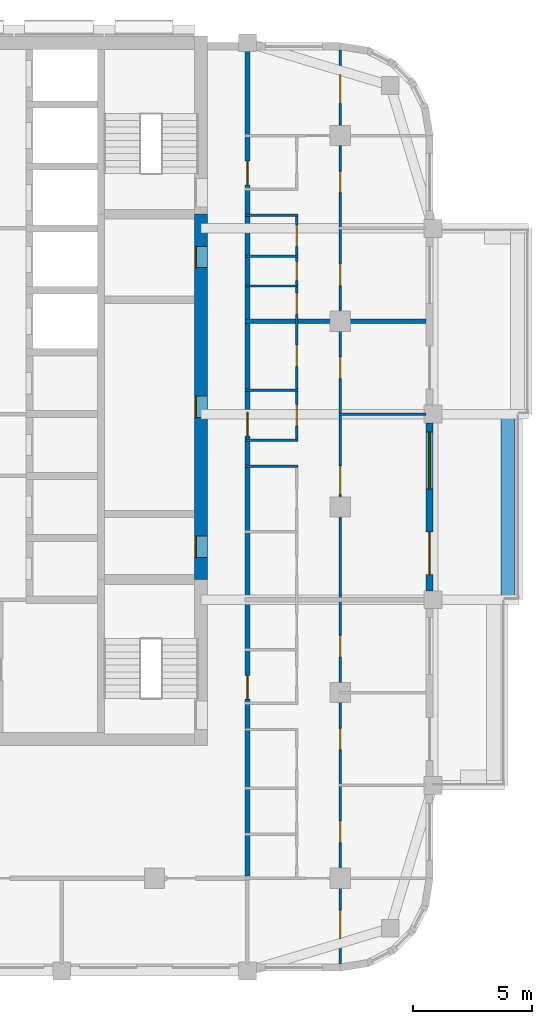
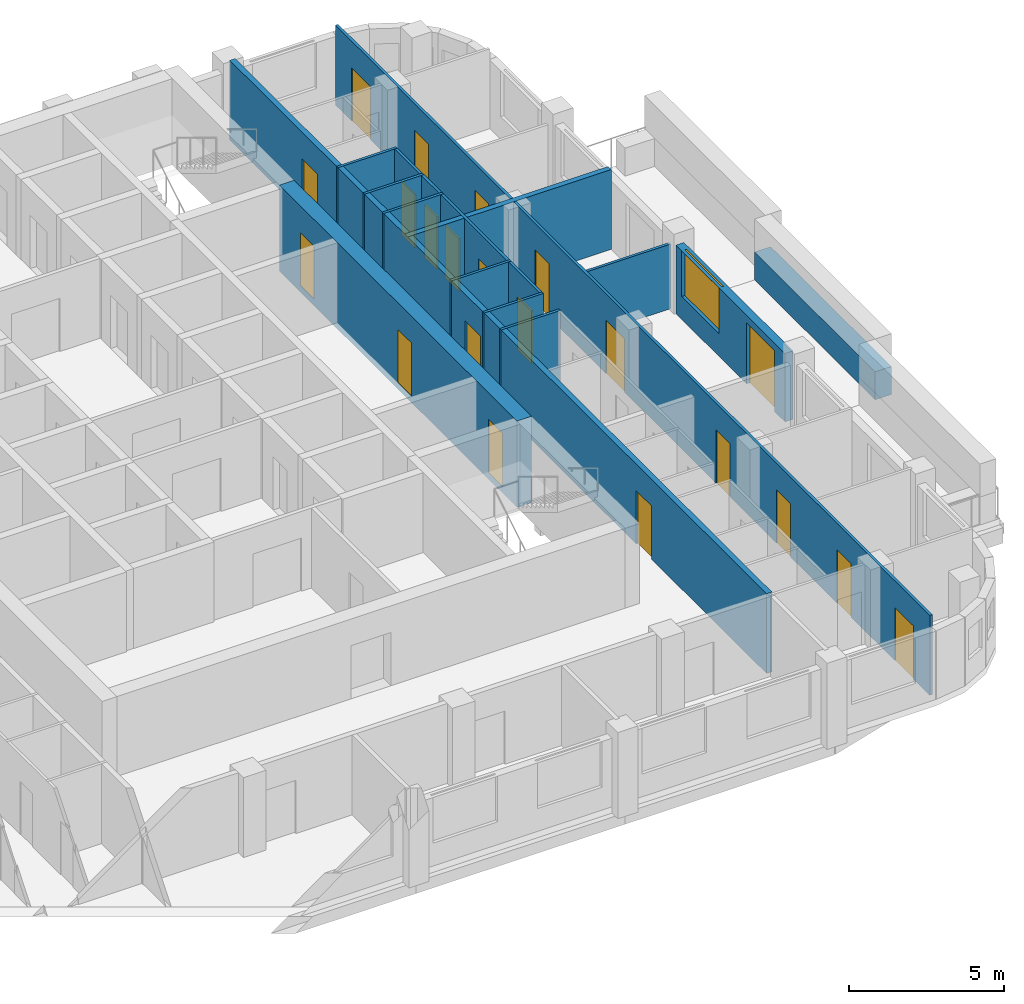
# One storey, part 7 of 13: 21 doors, 14 walls, 1 window, 22 openings.
"""IFC4 building model written with IfcOpenShell, lengths in metres."""

from ifc_helpers import new_model, si_unit, direction, frame, frame_2d, origin, place, context, subcontext, project, spatial, rectangle, extrude, material, layer, layer_set, type_object, element, fill, save


model = new_model("IFC4")

# Units and contexts
model_context = context("Model", 3, precision=1e-05, world=origin(), true_north=direction((0.0, 1.0)))
body_context = subcontext(model_context, "Body", "Model", "MODEL_VIEW")
ifc_project = project(units=[si_unit("LENGTHUNIT", "METRE"), si_unit("AREAUNIT", "SQUARE_METRE"), si_unit("VOLUMEUNIT", "CUBIC_METRE"), si_unit("PLANEANGLEUNIT", "RADIAN"), si_unit("MASSUNIT", "GRAM", prefix="KILO")], contexts=[model_context])

# Site, building, storey
site_placement = place(None, origin())
site = spatial("IfcSite", under=ifc_project, at=site_placement, CompositionType="ELEMENT")
building_placement = place(site_placement, origin())
building = spatial("IfcBuilding", under=site, at=building_placement, Name="Ludao Terraces", CompositionType="ELEMENT")
storey_placement = place(building_placement, frame((0.0, 0.0, 186.0)))
storey = spatial("IfcBuildingStorey", under=building, at=storey_placement, Name="L50", CompositionType="ELEMENT", Elevation=186.0)

# Wall, openings, doors
ifc_material_1 = material(Name="Concrete C60", Category="concrete")
ifc_layer_1 = layer(ifc_material_1, 0.550048828125)
ifc_layer_set_1 = layer_set([ifc_layer_1], Name="Core wall 550 C60")
wall_type_1 = type_object("IfcWallType", Name="Core wall 550 C60", PredefinedType="SOLIDWALL", material=ifc_layer_set_1)
wall_1_placement = place(storey_placement, frame((94.75, 61.949951171875, -0.25), z_axis=(0.0, 0.0, 1.0), x_axis=(0.0, 1.0, 0.0)))
wall_1 = element("IfcWall", 1, at=wall_1_placement, inside=storey, type_object=wall_type_1, Name="Core wall L50 outer-E", PredefinedType="SOLIDWALL", context=body_context, shape_type="SweptSolid", body=[
    extrude(rectangle(XDim=15.35009765625, YDim=0.550048828125, at=frame_2d((7.675048828125, 0.0))), origin(), (0.0, 0.0, 1.0), 3.39990234375),
])
opening_1_placement = place(wall_1_placement, frame((0.925048828125, 0.0, 0.25)))
opening_1 = element("IfcOpeningElement", 2, at=opening_1_placement, cuts=wall_1, Name="Opening R18-034", PredefinedType="OPENING", context=body_context, shape_type="SweptSolid", body=[
    extrude(rectangle(XDim=0.89990234375, YDim=2.10009765625, at=frame_2d((0.449951171875, 1.050048828125))), frame((0.0, 0.28515625, 0.0), z_axis=(0.0, -1.0, 0.0), x_axis=(1.0, 0.0, 0.0)), (0.0, 0.0, 1.0), 0.570068359375),
])
opening_2_placement = place(wall_1_placement, frame((6.800048828125, 0.0, 0.25)))
opening_2 = element("IfcOpeningElement", 3, at=opening_2_placement, cuts=wall_1, Name="Opening R18-052", PredefinedType="OPENING", context=body_context, shape_type="SweptSolid", body=[
    extrude(rectangle(XDim=0.89990234375, YDim=2.10009765625, at=frame_2d((0.449951171875, 1.050048828125))), frame((0.0, 0.28515625, 0.0), z_axis=(0.0, -1.0, 0.0), x_axis=(1.0, 0.0, 0.0)), (0.0, 0.0, 1.0), 0.570068359375),
])
opening_3_placement = place(wall_1_placement, frame((13.10009765625, 0.0, 0.25)))
opening_3 = element("IfcOpeningElement", 4, at=opening_3_placement, cuts=wall_1, Name="Opening R18-071", PredefinedType="OPENING", context=body_context, shape_type="SweptSolid", body=[
    extrude(rectangle(XDim=0.89990234375, YDim=2.10009765625, at=frame_2d((0.449951171875, 1.050048828125))), frame((0.0, 0.28515625, 0.0), z_axis=(0.0, -1.0, 0.0), x_axis=(1.0, 0.0, 0.0)), (0.0, 0.0, 1.0), 0.570068359375),
])
ifc_material_2 = material(Name="Steel Q235", Category="steel")
door_type_1 = type_object("IfcDoorType", Name="INT Riser door 900", OperationType="SINGLE_SWING_LEFT", PredefinedType="DOOR", material=ifc_material_2)
door_1_placement = place(opening_1_placement, origin())
door_1 = element("IfcDoor", 5, at=door_1_placement, inside=storey, type_object=door_type_1, Name="DOOR 034", OperationType="SINGLE_SWING_LEFT", OverallHeight=2.10009765625, OverallWidth=0.89990234375, PredefinedType="DOOR", context=body_context, shape_type="SweptSolid", body=[
    extrude(rectangle(XDim=0.89990234375, YDim=2.10009765625, at=frame_2d((0.449951171875, 1.050048828125))), frame((0.0, 0.26025390625, 0.0), z_axis=(0.0, -1.0, 0.0), x_axis=(1.0, 0.0, 0.0)), (0.0, 0.0, 1.0), 0.050048828125),
])
fill(opening_1, door_1)
door_2_placement = place(opening_3_placement, origin())
door_2 = element("IfcDoor", 6, at=door_2_placement, inside=storey, type_object=door_type_1, Name="DOOR 071", OperationType="SINGLE_SWING_RIGHT", OverallHeight=2.10009765625, OverallWidth=0.89990234375, PredefinedType="DOOR", context=body_context, shape_type="SweptSolid", body=[
    extrude(rectangle(XDim=0.89990234375, YDim=2.10009765625, at=frame_2d((0.449951171875, 1.050048828125))), frame((0.0, 0.26025390625, 0.0), z_axis=(0.0, -1.0, 0.0), x_axis=(1.0, 0.0, 0.0)), (0.0, 0.0, 1.0), 0.050048828125),
])
fill(opening_3, door_2)
ifc_material_3 = material(Name="Timber door leaf", Category="wood")
door_type_2 = type_object("IfcDoorType", Name="INT Room door 900", OperationType="SINGLE_SWING_LEFT", PredefinedType="DOOR", material=ifc_material_3)
door_3_placement = place(opening_2_placement, origin())
door_3 = element("IfcDoor", 7, at=door_3_placement, inside=storey, type_object=door_type_2, Name="DOOR 052", OperationType="SINGLE_SWING_RIGHT", OverallHeight=2.10009765625, OverallWidth=0.89990234375, PredefinedType="DOOR", context=body_context, shape_type="SweptSolid", body=[
    extrude(rectangle(XDim=0.89990234375, YDim=2.10009765625, at=frame_2d((0.449951171875, 1.050048828125))), frame((0.0, 0.26025390625, 0.0), z_axis=(0.0, -1.0, 0.0), x_axis=(1.0, 0.0, 0.0)), (0.0, 0.0, 1.0), 0.050048828125),
])
fill(opening_2, door_3)

# Wall
ifc_material_4 = material(Name="Concrete C40", Category="concrete")
ifc_layer_2 = layer(ifc_material_4, 0.60009765625)
ifc_layer_set_2 = layer_set([ifc_layer_2], Name="ENV Planter trough 600")
wall_type_2 = type_object("IfcWallType", Name="ENV Planter trough 600", PredefinedType="USERDEFINED", material=ifc_layer_set_2)
wall_2_placement = place(storey_placement, frame((107.64990234375, 61.10009765625, 0.0), z_axis=(0.0, 0.0, 1.0), x_axis=(0.0, 1.0, 0.0)))
element("IfcWall", 8, at=wall_2_placement, inside=storey, type_object=wall_type_2, Name="PL-L50-E2", ObjectType="PLANTER", PredefinedType="USERDEFINED", context=body_context, shape_type="SweptSolid", body=[
    extrude(rectangle(XDim=7.7998046875, YDim=0.60009765625, at=frame_2d((3.89990234375, 0.0))), origin(), (0.0, 0.0, 1.0), 1.10009765625),
])

# Wall, openings, door, window
ifc_material_5 = material(Name="Granite cladding", Category="masonry")
ifc_layer_3 = layer(ifc_material_5, 0.0400390625, Category="stone")
ifc_material_6 = material(Name="Mineral wool")
ifc_layer_4 = layer(ifc_material_6, 0.06005859375)
ifc_layer_5 = layer(ifc_material_4, 0.199951171875, Category="concrete")
ifc_layer_set_3 = layer_set([ifc_layer_3, ifc_layer_4, ifc_layer_5], Name="ENV Stone-clad wall 300")
wall_type_3 = type_object("IfcWallType", Name="ENV Stone-clad wall 300", PredefinedType="SOLIDWALL", material=ifc_layer_set_3)
wall_3_placement = place(storey_placement, frame((104.35009765625, 61.47509765625, 0.0), z_axis=(0.0, 0.0, 1.0), x_axis=(0.0, 1.0, 0.0)))
wall_3 = element("IfcWall", 9, at=wall_3_placement, inside=storey, type_object=wall_type_3, Name="EW-L50-E3", PredefinedType="SOLIDWALL", context=body_context, shape_type="SweptSolid", body=[
    extrude(rectangle(XDim=7.0498046875, YDim=0.300048828125, at=frame_2d((3.52490234375, 0.0))), origin(), (0.0, 0.0, 1.0), 2.699951171875),
])
opening_4_placement = place(wall_3_placement, frame((0.675048828125, 0.0, 0.0)))
opening_4 = element("IfcOpeningElement", 10, at=opening_4_placement, cuts=wall_3, Name="Opening BD", PredefinedType="OPENING", context=body_context, shape_type="SweptSolid", body=[
    extrude(rectangle(XDim=1.800048828125, YDim=2.39990234375, at=frame_2d((0.89990234375, 1.199951171875))), frame((0.0, 0.16015625, 0.0), z_axis=(0.0, -1.0, 0.0), x_axis=(1.0, 0.0, 0.0)), (0.0, 0.0, 1.0), 0.320068359375),
])
opening_5_placement = place(wall_3_placement, frame((4.27490234375, 0.0, 0.89990234375)))
opening_5 = element("IfcOpeningElement", 11, at=opening_5_placement, cuts=wall_3, Name="Opening W1", PredefinedType="OPENING", context=body_context, shape_type="SweptSolid", body=[
    extrude(rectangle(XDim=2.39990234375, YDim=1.800048828125, at=frame_2d((1.199951171875, 0.89990234375))), frame((0.0, 0.16015625, 0.0), z_axis=(0.0, -1.0, 0.0), x_axis=(1.0, 0.0, 0.0)), (0.0, 0.0, 1.0), 0.320068359375),
])
ifc_material_7 = material(Name="Aluminium glazed door", Category="aluminium")
ifc_layer_6 = layer(ifc_material_7, 0.06005859375)
ifc_layer_set_4 = layer_set([ifc_layer_6], Name="ENV Balcony door BD 1800x2400")
door_type_3 = type_object("IfcDoorType", Name="ENV Balcony door BD 1800x2400", OperationType="DOUBLE_DOOR_SINGLE_SWING", PredefinedType="DOOR", material=ifc_layer_set_4)
door_4_placement = place(opening_4_placement, origin())
door_4 = element("IfcDoor", 12, at=door_4_placement, inside=storey, type_object=door_type_3, Name="BD-L50-E3-1", OperationType="DOUBLE_DOOR_SINGLE_SWING", OverallHeight=2.39990234375, OverallWidth=1.800048828125, PredefinedType="DOOR", context=body_context, shape_type="SweptSolid", body=[
    extrude(rectangle(XDim=1.800048828125, YDim=2.39990234375, at=frame_2d((0.89990234375, 1.199951171875))), frame((0.0, 0.02490234375, 0.0), z_axis=(0.0, -1.0, 0.0), x_axis=(1.0, 0.0, 0.0)), (0.0, 0.0, 1.0), 0.050048828125),
])
fill(opening_4, door_4)
ifc_material_8 = material(Name="Clear glass in aluminium frame", Category="aluminium")
ifc_layer_7 = layer(ifc_material_8, 0.06005859375)
ifc_layer_set_5 = layer_set([ifc_layer_7], Name="ENV Window W1 2400x1800")
window_type = type_object("IfcWindowType", Name="ENV Window W1 2400x1800", PartitioningType="DOUBLE_PANEL_VERTICAL", PredefinedType="WINDOW", material=ifc_layer_set_5)
window_placement = place(opening_5_placement, origin())
window = element("IfcWindow", 13, at=window_placement, inside=storey, type_object=window_type, Name="W-L50-E3-2", OverallHeight=1.800048828125, OverallWidth=2.39990234375, PartitioningType="DOUBLE_PANEL_VERTICAL", PredefinedType="WINDOW", context=body_context, shape_type="SweptSolid", body=[
    extrude(rectangle(XDim=2.39990234375, YDim=1.800048828125, at=frame_2d((1.199951171875, 0.89990234375))), frame((0.0, 0.030029296875, 0.0), z_axis=(0.0, -1.0, 0.0), x_axis=(1.0, 0.0, 0.0)), (0.0, 0.0, 1.0), 0.06005859375),
])
fill(opening_5, window)

# Wall, openings, doors
ifc_material_9 = material(Name="Autoclaved aerated concrete block B06 A3.5", Category="concrete")
ifc_layer_8 = layer(ifc_material_9, 0.199951171875)
ifc_layer_set_6 = layer_set([ifc_layer_8], Name="INT Entrance wall 200")
wall_type_4 = type_object("IfcWallType", Name="INT Entrance wall 200", PredefinedType="PARTITIONING", material=ifc_layer_set_6)
wall_4_placement = place(storey_placement, frame((96.699951171875, 49.5, 0.0), z_axis=(0.0, 0.0, 1.0), x_axis=(0.0, 1.0, 0.0)))
wall_4 = element("IfcWall", 14, at=wall_4_placement, inside=storey, type_object=wall_type_4, Name="PW-L50-PW059", PredefinedType="PARTITIONING", context=body_context, shape_type="SweptSolid", body=[
    extrude(rectangle(XDim=34.7001953125, YDim=0.199951171875, at=frame_2d((17.35009765625, 0.0))), origin(), (0.0, 0.0, 1.0), 3.14990234375),
])
opening_6_placement = place(wall_4_placement, frame((7.425048828125, 0.0, 0.0)))
opening_6 = element("IfcOpeningElement", 15, at=opening_6_placement, cuts=wall_4, Name="Opening R18-020", PredefinedType="OPENING", context=body_context, shape_type="SweptSolid", body=[
    extrude(rectangle(XDim=1.0, YDim=2.10009765625, at=frame_2d((0.5, 1.050048828125))), frame((0.0, 0.10986328125, 0.0), z_axis=(0.0, -1.0, 0.0), x_axis=(1.0, 0.0, 0.0)), (0.0, 0.0, 1.0), 0.219970703125),
])
opening_7_placement = place(wall_4_placement, frame((18.47509765625, 0.0, 0.0)))
opening_7 = element("IfcOpeningElement", 16, at=opening_7_placement, cuts=wall_4, Name="Opening R18-047", PredefinedType="OPENING", context=body_context, shape_type="SweptSolid", body=[
    extrude(rectangle(XDim=1.0, YDim=2.10009765625, at=frame_2d((0.5, 1.050048828125))), frame((0.0, 0.10986328125, 0.0), z_axis=(0.0, -1.0, 0.0), x_axis=(1.0, 0.0, 0.0)), (0.0, 0.0, 1.0), 0.219970703125),
])
opening_8_placement = place(wall_4_placement, frame((29.025146484375, 0.0, 0.0)))
opening_8 = element("IfcOpeningElement", 17, at=opening_8_placement, cuts=wall_4, Name="Opening R18-081", PredefinedType="OPENING", context=body_context, shape_type="SweptSolid", body=[
    extrude(rectangle(XDim=1.0, YDim=2.10009765625, at=frame_2d((0.5, 1.050048828125))), frame((0.0, 0.10986328125, 0.0), z_axis=(0.0, -1.0, 0.0), x_axis=(1.0, 0.0, 0.0)), (0.0, 0.0, 1.0), 0.219970703125),
])
door_type_4 = type_object("IfcDoorType", Name="INT Flat entrance door 1000", OperationType="SINGLE_SWING_LEFT", PredefinedType="DOOR", material=ifc_material_2)
door_5_placement = place(opening_6_placement, origin())
door_5 = element("IfcDoor", 18, at=door_5_placement, inside=storey, type_object=door_type_4, Name="DOOR 020", OperationType="SINGLE_SWING_LEFT", OverallHeight=2.10009765625, OverallWidth=1.0, PredefinedType="DOOR", context=body_context, shape_type="SweptSolid", body=[
    extrude(rectangle(XDim=1.0, YDim=2.10009765625, at=frame_2d((0.5, 1.050048828125))), frame((0.0, 0.02490234375, 0.0), z_axis=(0.0, -1.0, 0.0), x_axis=(1.0, 0.0, 0.0)), (0.0, 0.0, 1.0), 0.050048828125),
])
fill(opening_6, door_5)
door_6_placement = place(opening_7_placement, origin())
door_6 = element("IfcDoor", 19, at=door_6_placement, inside=storey, type_object=door_type_4, Name="DOOR 047", OperationType="SINGLE_SWING_LEFT", OverallHeight=2.10009765625, OverallWidth=1.0, PredefinedType="DOOR", context=body_context, shape_type="SweptSolid", body=[
    extrude(rectangle(XDim=1.0, YDim=2.10009765625, at=frame_2d((0.5, 1.050048828125))), frame((0.0, 0.02490234375, 0.0), z_axis=(0.0, -1.0, 0.0), x_axis=(1.0, 0.0, 0.0)), (0.0, 0.0, 1.0), 0.050048828125),
])
fill(opening_7, door_6)
door_7_placement = place(opening_8_placement, origin())
door_7 = element("IfcDoor", 20, at=door_7_placement, inside=storey, type_object=door_type_4, Name="DOOR 081", OperationType="SINGLE_SWING_LEFT", OverallHeight=2.10009765625, OverallWidth=1.0, PredefinedType="DOOR", context=body_context, shape_type="SweptSolid", body=[
    extrude(rectangle(XDim=1.0, YDim=2.10009765625, at=frame_2d((0.5, 1.050048828125))), frame((0.0, 0.02490234375, 0.0), z_axis=(0.0, -1.0, 0.0), x_axis=(1.0, 0.0, 0.0)), (0.0, 0.0, 1.0), 0.050048828125),
])
fill(opening_8, door_7)

# Walls
ifc_material_10 = material(Name="Gypsum plasterboard", Category="gypsum")
ifc_layer_9 = layer(ifc_material_10, 0.012451171875, Category="gypsum")
ifc_layer_10 = layer(ifc_material_6, 0.06005859375, Name="insulation")
ifc_layer_11 = layer(ifc_material_2, 0.014892578125, Name="stud")
ifc_layer_12 = layer(ifc_material_10, 0.012451171875, Category="gypsum")
ifc_layer_set_7 = layer_set([ifc_layer_9, ifc_layer_10, ifc_layer_11, ifc_layer_12], Name="INT Partition 100")
wall_type_5 = type_object("IfcWallType", Name="INT Partition 100", PredefinedType="PARTITIONING", material=ifc_layer_set_7)
for number, where, z_axis, x_axis, name in (
    (21, (96.60009765625, 66.699951171875, 0.0), (0.0, 0.0, 1.0), (1.0, 0.0, 0.0), "PW-L50-PW024"),
    (22, (96.60009765625, 67.800048828125, 0.0), (0.0, 0.0, 1.0), (1.0, 0.0, 0.0), "PW-L50-PW027"),
):
    element("IfcWall", number, at=place(storey_placement, frame(where, z_axis=z_axis, x_axis=x_axis)), inside=storey, type_object=wall_type_5, Name=name, PredefinedType="PARTITIONING", context=body_context, shape_type="SweptSolid", body=[
        extrude(rectangle(XDim=2.219970703125, YDim=0.10009765625, at=frame_2d((1.10986328125, 0.0))), origin(), (0.0, 0.0, 1.0), 3.14990234375),
    ])
wall_5_placement = place(storey_placement, frame((100.550048828125, 68.89990234375, 0.0), z_axis=(0.0, 0.0, 1.0), x_axis=(1.0, 0.0, 0.0)))
element("IfcWall", 23, at=wall_5_placement, inside=storey, type_object=wall_type_5, Name="PW-L50-PW030", PredefinedType="PARTITIONING", context=body_context, shape_type="SweptSolid", body=[
    extrude(rectangle(XDim=3.650146484375, YDim=0.10009765625, at=frame_2d((1.8251953125, 0.0))), origin(), (0.0, 0.0, 1.0), 2.550048828125),
])
for number, where, z_axis, x_axis, name in (
    (24, (96.60009765625, 69.89990234375, 0.0), (0.0, 0.0, 1.0), (1.0, 0.0, 0.0), "PW-L50-PW031"),
    (25, (96.60009765625, 74.280029296875, 0.0), (0.0, 0.0, 1.0), (1.0, 0.0, 0.0), "PW-L50-PW038"),
    (26, (96.60009765625, 75.530029296875, 0.0), (0.0, 0.0, 1.0), (1.0, 0.0, 0.0), "PW-L50-PW040"),
    (27, (96.60009765625, 77.25, 0.0), (0.0, 0.0, 1.0), (1.0, 0.0, 0.0), "PW-L50-PW044"),
):
    element("IfcWall", number, at=place(storey_placement, frame(where, z_axis=z_axis, x_axis=x_axis)), inside=storey, type_object=wall_type_5, Name=name, PredefinedType="PARTITIONING", context=body_context, shape_type="SweptSolid", body=[
        extrude(rectangle(XDim=2.219970703125, YDim=0.10009765625, at=frame_2d((1.10986328125, 0.0))), origin(), (0.0, 0.0, 1.0), 3.14990234375),
    ])

# Wall, openings, doors
wall_6_placement = place(storey_placement, frame((98.77001953125, 67.85009765625, 0.0), z_axis=(0.0, 0.0, 1.0), x_axis=(0.0, 1.0, 0.0)))
wall_6 = element("IfcWall", 28, at=wall_6_placement, inside=storey, type_object=wall_type_5, Name="PW-L50-PW062", PredefinedType="PARTITIONING", context=body_context, shape_type="SweptSolid", body=[
    extrude(rectangle(XDim=9.35009765625, YDim=0.10009765625, at=frame_2d((4.675048828125, 0.0))), origin(), (0.0, 0.0, 1.0), 3.14990234375),
])
opening_9_placement = place(wall_6_placement, frame((0.550048828125, 0.0, 0.0)))
opening_9 = element("IfcOpeningElement", 29, at=opening_9_placement, cuts=wall_6, Name="Opening R18-049", PredefinedType="OPENING", context=body_context, shape_type="SweptSolid", body=[
    extrude(rectangle(XDim=0.89990234375, YDim=2.10009765625, at=frame_2d((0.449951171875, 1.050048828125))), frame((0.0, 0.06005859375, 0.0), z_axis=(0.0, -1.0, 0.0), x_axis=(1.0, 0.0, 0.0)), (0.0, 0.0, 1.0), 0.1201171875),
])
opening_10_placement = place(wall_6_placement, frame((3.050048828125, 0.0, 0.0)))
opening_10 = element("IfcOpeningElement", 30, at=opening_10_placement, cuts=wall_6, Name="Opening R18-057", PredefinedType="OPENING", context=body_context, shape_type="SweptSolid", body=[
    extrude(rectangle(XDim=0.89990234375, YDim=2.10009765625, at=frame_2d((0.449951171875, 1.050048828125))), frame((0.0, 0.06005859375, 0.0), z_axis=(0.0, -1.0, 0.0), x_axis=(1.0, 0.0, 0.0)), (0.0, 0.0, 1.0), 0.1201171875),
])
opening_11_placement = place(wall_6_placement, frame((5.239990234375, 0.0, 0.0)))
opening_11 = element("IfcOpeningElement", 31, at=opening_11_placement, cuts=wall_6, Name="Opening R18-063", PredefinedType="OPENING", context=body_context, shape_type="SweptSolid", body=[
    extrude(rectangle(XDim=0.89990234375, YDim=2.10009765625, at=frame_2d((0.449951171875, 1.050048828125))), frame((0.0, 0.06005859375, 0.0), z_axis=(0.0, -1.0, 0.0), x_axis=(1.0, 0.0, 0.0)), (0.0, 0.0, 1.0), 0.1201171875),
])
opening_12_placement = place(wall_6_placement, frame((6.655029296875, 0.0, 0.0)))
opening_12 = element("IfcOpeningElement", 32, at=opening_12_placement, cuts=wall_6, Name="Opening R18-067", PredefinedType="OPENING", context=body_context, shape_type="SweptSolid", body=[
    extrude(rectangle(XDim=0.800048828125, YDim=2.10009765625, at=frame_2d((0.39990234375, 1.050048828125))), frame((0.0, 0.06005859375, 0.0), z_axis=(0.0, -1.0, 0.0), x_axis=(1.0, 0.0, 0.0)), (0.0, 0.0, 1.0), 0.1201171875),
])
opening_13_placement = place(wall_6_placement, frame((8.090087890625, 0.0, 0.0)))
opening_13 = element("IfcOpeningElement", 33, at=opening_13_placement, cuts=wall_6, Name="Opening R18-072", PredefinedType="OPENING", context=body_context, shape_type="SweptSolid", body=[
    extrude(rectangle(XDim=0.89990234375, YDim=2.10009765625, at=frame_2d((0.449951171875, 1.050048828125))), frame((0.0, 0.06005859375, 0.0), z_axis=(0.0, -1.0, 0.0), x_axis=(1.0, 0.0, 0.0)), (0.0, 0.0, 1.0), 0.1201171875),
])
door_type_5 = type_object("IfcDoorType", Name="INT Bathroom door 900", OperationType="SINGLE_SWING_LEFT", PredefinedType="DOOR", material=ifc_material_3)
door_8_placement = place(opening_9_placement, origin())
door_8 = element("IfcDoor", 34, at=door_8_placement, inside=storey, type_object=door_type_5, Name="DOOR 049", OperationType="SINGLE_SWING_LEFT", OverallHeight=2.10009765625, OverallWidth=0.89990234375, PredefinedType="DOOR", context=body_context, shape_type="SweptSolid", body=[
    extrude(rectangle(XDim=0.89990234375, YDim=2.10009765625, at=frame_2d((0.449951171875, 1.050048828125))), frame((0.0, 0.02490234375, 0.0), z_axis=(0.0, -1.0, 0.0), x_axis=(1.0, 0.0, 0.0)), (0.0, 0.0, 1.0), 0.050048828125),
])
fill(opening_9, door_8)
door_9_placement = place(opening_11_placement, origin())
door_9 = element("IfcDoor", 35, at=door_9_placement, inside=storey, type_object=door_type_5, Name="DOOR 063", OperationType="SINGLE_SWING_LEFT", OverallHeight=2.10009765625, OverallWidth=0.89990234375, PredefinedType="DOOR", context=body_context, shape_type="SweptSolid", body=[
    extrude(rectangle(XDim=0.89990234375, YDim=2.10009765625, at=frame_2d((0.449951171875, 1.050048828125))), frame((0.0, 0.02490234375, 0.0), z_axis=(0.0, -1.0, 0.0), x_axis=(1.0, 0.0, 0.0)), (0.0, 0.0, 1.0), 0.050048828125),
])
fill(opening_11, door_9)
door_10_placement = place(opening_10_placement, origin())
door_10 = element("IfcDoor", 36, at=door_10_placement, inside=storey, type_object=door_type_2, Name="DOOR 057", OperationType="SINGLE_SWING_LEFT", OverallHeight=2.10009765625, OverallWidth=0.89990234375, PredefinedType="DOOR", context=body_context, shape_type="SweptSolid", body=[
    extrude(rectangle(XDim=0.89990234375, YDim=2.10009765625, at=frame_2d((0.449951171875, 1.050048828125))), frame((0.0, 0.02490234375, 0.0), z_axis=(0.0, -1.0, 0.0), x_axis=(1.0, 0.0, 0.0)), (0.0, 0.0, 1.0), 0.050048828125),
])
fill(opening_10, door_10)
door_11_placement = place(opening_13_placement, origin())
door_11 = element("IfcDoor", 37, at=door_11_placement, inside=storey, type_object=door_type_2, Name="DOOR 072", OperationType="SINGLE_SWING_LEFT", OverallHeight=2.10009765625, OverallWidth=0.89990234375, PredefinedType="DOOR", context=body_context, shape_type="SweptSolid", body=[
    extrude(rectangle(XDim=0.89990234375, YDim=2.10009765625, at=frame_2d((0.449951171875, 1.050048828125))), frame((0.0, 0.02490234375, 0.0), z_axis=(0.0, -1.0, 0.0), x_axis=(1.0, 0.0, 0.0)), (0.0, 0.0, 1.0), 0.050048828125),
])
fill(opening_13, door_11)
door_type_6 = type_object("IfcDoorType", Name="INT Store door 800", OperationType="SINGLE_SWING_LEFT", PredefinedType="DOOR", material=ifc_material_3)
door_12_placement = place(opening_12_placement, origin())
door_12 = element("IfcDoor", 38, at=door_12_placement, inside=storey, type_object=door_type_6, Name="DOOR 067", OperationType="SINGLE_SWING_RIGHT", OverallHeight=2.10009765625, OverallWidth=0.800048828125, PredefinedType="DOOR", context=body_context, shape_type="SweptSolid", body=[
    extrude(rectangle(XDim=0.800048828125, YDim=2.10009765625, at=frame_2d((0.39990234375, 1.050048828125))), frame((0.0, 0.02490234375, 0.0), z_axis=(0.0, -1.0, 0.0), x_axis=(1.0, 0.0, 0.0)), (0.0, 0.0, 1.0), 0.050048828125),
])
fill(opening_12, door_12)

wall_7_placement = place(storey_placement, frame((100.60009765625, 45.800048828125, 0.0), z_axis=(0.0, 0.0, 1.0), x_axis=(0.0, 1.0, 0.0)))
wall_7 = element("IfcWall", 39, at=wall_7_placement, inside=storey, type_object=wall_type_5, Name="PW-L50-PW064", PredefinedType="PARTITIONING", context=body_context, shape_type="SweptSolid", body=[
    extrude(rectangle(XDim=38.400146484375, YDim=0.10009765625, at=frame_2d((19.2001953125, 0.0))), origin(), (0.0, 0.0, 1.0), 3.14990234375),
])
opening_14_placement = place(wall_7_placement, frame((1.050048828125, 0.0, 0.0)))
opening_14 = element("IfcOpeningElement", 40, at=opening_14_placement, cuts=wall_7, Name="Opening R18-002", PredefinedType="OPENING", context=body_context, shape_type="SweptSolid", body=[
    extrude(rectangle(XDim=1.199951171875, YDim=2.10009765625, at=frame_2d((0.60009765625, 1.050048828125))), frame((0.0, 0.06005859375, 0.0), z_axis=(0.0, -1.0, 0.0), x_axis=(1.0, 0.0, 0.0)), (0.0, 0.0, 1.0), 0.1201171875),
])
opening_15_placement = place(wall_7_placement, frame((5.10009765625, 0.0, 0.0)))
opening_15 = element("IfcOpeningElement", 41, at=opening_15_placement, cuts=wall_7, Name="Opening R18-011", PredefinedType="OPENING", context=body_context, shape_type="SweptSolid", body=[
    extrude(rectangle(XDim=0.89990234375, YDim=2.10009765625, at=frame_2d((0.449951171875, 1.050048828125))), frame((0.0, 0.06005859375, 0.0), z_axis=(0.0, -1.0, 0.0), x_axis=(1.0, 0.0, 0.0)), (0.0, 0.0, 1.0), 0.1201171875),
])
opening_16_placement = place(wall_7_placement, frame((9.0, 0.0, 0.0)))
opening_16 = element("IfcOpeningElement", 42, at=opening_16_placement, cuts=wall_7, Name="Opening R18-017", PredefinedType="OPENING", context=body_context, shape_type="SweptSolid", body=[
    extrude(rectangle(XDim=0.89990234375, YDim=2.10009765625, at=frame_2d((0.449951171875, 1.050048828125))), frame((0.0, 0.06005859375, 0.0), z_axis=(0.0, -1.0, 0.0), x_axis=(1.0, 0.0, 0.0)), (0.0, 0.0, 1.0), 0.1201171875),
])
opening_17_placement = place(wall_7_placement, frame((12.89990234375, 0.0, 0.0)))
opening_17 = element("IfcOpeningElement", 43, at=opening_17_placement, cuts=wall_7, Name="Opening R18-025", PredefinedType="OPENING", context=body_context, shape_type="SweptSolid", body=[
    extrude(rectangle(XDim=0.89990234375, YDim=2.10009765625, at=frame_2d((0.449951171875, 1.050048828125))), frame((0.0, 0.06005859375, 0.0), z_axis=(0.0, -1.0, 0.0), x_axis=(1.0, 0.0, 0.0)), (0.0, 0.0, 1.0), 0.1201171875),
])
opening_18_placement = place(wall_7_placement, frame((19.72509765625, 0.0, 0.0)))
opening_18 = element("IfcOpeningElement", 44, at=opening_18_placement, cuts=wall_7, Name="Opening R18-040", PredefinedType="OPENING", context=body_context, shape_type="SweptSolid", body=[
    extrude(rectangle(XDim=1.199951171875, YDim=2.10009765625, at=frame_2d((0.60009765625, 1.050048828125))), frame((0.0, 0.06005859375, 0.0), z_axis=(0.0, -1.0, 0.0), x_axis=(1.0, 0.0, 0.0)), (0.0, 0.0, 1.0), 0.1201171875),
])
opening_19_placement = place(wall_7_placement, frame((24.60009765625, 0.0, 0.0)))
opening_19 = element("IfcOpeningElement", 45, at=opening_19_placement, cuts=wall_7, Name="Opening R18-056", PredefinedType="OPENING", context=body_context, shape_type="SweptSolid", body=[
    extrude(rectangle(XDim=0.89990234375, YDim=2.10009765625, at=frame_2d((0.449951171875, 1.050048828125))), frame((0.0, 0.06005859375, 0.0), z_axis=(0.0, -1.0, 0.0), x_axis=(1.0, 0.0, 0.0)), (0.0, 0.0, 1.0), 0.1201171875),
])
opening_20_placement = place(wall_7_placement, frame((28.5, 0.0, 0.0)))
opening_20 = element("IfcOpeningElement", 46, at=opening_20_placement, cuts=wall_7, Name="Opening R18-066", PredefinedType="OPENING", context=body_context, shape_type="SweptSolid", body=[
    extrude(rectangle(XDim=0.89990234375, YDim=2.10009765625, at=frame_2d((0.449951171875, 1.050048828125))), frame((0.0, 0.06005859375, 0.0), z_axis=(0.0, -1.0, 0.0), x_axis=(1.0, 0.0, 0.0)), (0.0, 0.0, 1.0), 0.1201171875),
])
opening_21_placement = place(wall_7_placement, frame((32.39990234375, 0.0, 0.0)))
opening_21 = element("IfcOpeningElement", 47, at=opening_21_placement, cuts=wall_7, Name="Opening R18-080", PredefinedType="OPENING", context=body_context, shape_type="SweptSolid", body=[
    extrude(rectangle(XDim=0.89990234375, YDim=2.10009765625, at=frame_2d((0.449951171875, 1.050048828125))), frame((0.0, 0.06005859375, 0.0), z_axis=(0.0, -1.0, 0.0), x_axis=(1.0, 0.0, 0.0)), (0.0, 0.0, 1.0), 0.1201171875),
])
opening_22_placement = place(wall_7_placement, frame((36.14990234375, 0.0, 0.0)))
opening_22 = element("IfcOpeningElement", 48, at=opening_22_placement, cuts=wall_7, Name="Opening R18-089", PredefinedType="OPENING", context=body_context, shape_type="SweptSolid", body=[
    extrude(rectangle(XDim=1.199951171875, YDim=2.10009765625, at=frame_2d((0.60009765625, 1.050048828125))), frame((0.0, 0.06005859375, 0.0), z_axis=(0.0, -1.0, 0.0), x_axis=(1.0, 0.0, 0.0)), (0.0, 0.0, 1.0), 0.1201171875),
])
door_type_7 = type_object("IfcDoorType", Name="INT Double door 1200", OperationType="DOUBLE_DOOR_SINGLE_SWING", PredefinedType="DOOR", material=ifc_material_3)
door_13_placement = place(opening_14_placement, origin())
door_13 = element("IfcDoor", 49, at=door_13_placement, inside=storey, type_object=door_type_7, Name="DOOR 002", OperationType="DOUBLE_DOOR_SINGLE_SWING", OverallHeight=2.10009765625, OverallWidth=1.199951171875, PredefinedType="DOOR", context=body_context, shape_type="SweptSolid", body=[
    extrude(rectangle(XDim=1.199951171875, YDim=2.10009765625, at=frame_2d((0.60009765625, 1.050048828125))), frame((0.0, 0.02490234375, 0.0), z_axis=(0.0, -1.0, 0.0), x_axis=(1.0, 0.0, 0.0)), (0.0, 0.0, 1.0), 0.050048828125),
])
fill(opening_14, door_13)
door_14_placement = place(opening_18_placement, origin())
door_14 = element("IfcDoor", 50, at=door_14_placement, inside=storey, type_object=door_type_7, Name="DOOR 040", OperationType="DOUBLE_DOOR_SINGLE_SWING", OverallHeight=2.10009765625, OverallWidth=1.199951171875, PredefinedType="DOOR", context=body_context, shape_type="SweptSolid", body=[
    extrude(rectangle(XDim=1.199951171875, YDim=2.10009765625, at=frame_2d((0.60009765625, 1.050048828125))), frame((0.0, 0.02490234375, 0.0), z_axis=(0.0, -1.0, 0.0), x_axis=(1.0, 0.0, 0.0)), (0.0, 0.0, 1.0), 0.050048828125),
])
fill(opening_18, door_14)
door_15_placement = place(opening_22_placement, origin())
door_15 = element("IfcDoor", 51, at=door_15_placement, inside=storey, type_object=door_type_7, Name="DOOR 089", OperationType="DOUBLE_DOOR_SINGLE_SWING", OverallHeight=2.10009765625, OverallWidth=1.199951171875, PredefinedType="DOOR", context=body_context, shape_type="SweptSolid", body=[
    extrude(rectangle(XDim=1.199951171875, YDim=2.10009765625, at=frame_2d((0.60009765625, 1.050048828125))), frame((0.0, 0.02490234375, 0.0), z_axis=(0.0, -1.0, 0.0), x_axis=(1.0, 0.0, 0.0)), (0.0, 0.0, 1.0), 0.050048828125),
])
fill(opening_22, door_15)
door_16_placement = place(opening_15_placement, origin())
door_16 = element("IfcDoor", 52, at=door_16_placement, inside=storey, type_object=door_type_2, Name="DOOR 011", OperationType="SINGLE_SWING_LEFT", OverallHeight=2.10009765625, OverallWidth=0.89990234375, PredefinedType="DOOR", context=body_context, shape_type="SweptSolid", body=[
    extrude(rectangle(XDim=0.89990234375, YDim=2.10009765625, at=frame_2d((0.449951171875, 1.050048828125))), frame((0.0, 0.02490234375, 0.0), z_axis=(0.0, -1.0, 0.0), x_axis=(1.0, 0.0, 0.0)), (0.0, 0.0, 1.0), 0.050048828125),
])
fill(opening_15, door_16)
door_17_placement = place(opening_16_placement, origin())
door_17 = element("IfcDoor", 53, at=door_17_placement, inside=storey, type_object=door_type_2, Name="DOOR 017", OperationType="SINGLE_SWING_LEFT", OverallHeight=2.10009765625, OverallWidth=0.89990234375, PredefinedType="DOOR", context=body_context, shape_type="SweptSolid", body=[
    extrude(rectangle(XDim=0.89990234375, YDim=2.10009765625, at=frame_2d((0.449951171875, 1.050048828125))), frame((0.0, 0.02490234375, 0.0), z_axis=(0.0, -1.0, 0.0), x_axis=(1.0, 0.0, 0.0)), (0.0, 0.0, 1.0), 0.050048828125),
])
fill(opening_16, door_17)
door_18_placement = place(opening_17_placement, origin())
door_18 = element("IfcDoor", 54, at=door_18_placement, inside=storey, type_object=door_type_2, Name="DOOR 025", OperationType="SINGLE_SWING_LEFT", OverallHeight=2.10009765625, OverallWidth=0.89990234375, PredefinedType="DOOR", context=body_context, shape_type="SweptSolid", body=[
    extrude(rectangle(XDim=0.89990234375, YDim=2.10009765625, at=frame_2d((0.449951171875, 1.050048828125))), frame((0.0, 0.02490234375, 0.0), z_axis=(0.0, -1.0, 0.0), x_axis=(1.0, 0.0, 0.0)), (0.0, 0.0, 1.0), 0.050048828125),
])
fill(opening_17, door_18)
door_19_placement = place(opening_19_placement, origin())
door_19 = element("IfcDoor", 55, at=door_19_placement, inside=storey, type_object=door_type_2, Name="DOOR 056", OperationType="SINGLE_SWING_RIGHT", OverallHeight=2.10009765625, OverallWidth=0.89990234375, PredefinedType="DOOR", context=body_context, shape_type="SweptSolid", body=[
    extrude(rectangle(XDim=0.89990234375, YDim=2.10009765625, at=frame_2d((0.449951171875, 1.050048828125))), frame((0.0, 0.02490234375, 0.0), z_axis=(0.0, -1.0, 0.0), x_axis=(1.0, 0.0, 0.0)), (0.0, 0.0, 1.0), 0.050048828125),
])
fill(opening_19, door_19)
door_20_placement = place(opening_20_placement, origin())
door_20 = element("IfcDoor", 56, at=door_20_placement, inside=storey, type_object=door_type_2, Name="DOOR 066", OperationType="SINGLE_SWING_RIGHT", OverallHeight=2.10009765625, OverallWidth=0.89990234375, PredefinedType="DOOR", context=body_context, shape_type="SweptSolid", body=[
    extrude(rectangle(XDim=0.89990234375, YDim=2.10009765625, at=frame_2d((0.449951171875, 1.050048828125))), frame((0.0, 0.02490234375, 0.0), z_axis=(0.0, -1.0, 0.0), x_axis=(1.0, 0.0, 0.0)), (0.0, 0.0, 1.0), 0.050048828125),
])
fill(opening_20, door_20)
door_21_placement = place(opening_21_placement, origin())
door_21 = element("IfcDoor", 57, at=door_21_placement, inside=storey, type_object=door_type_2, Name="DOOR 080", OperationType="SINGLE_SWING_RIGHT", OverallHeight=2.10009765625, OverallWidth=0.89990234375, PredefinedType="DOOR", context=body_context, shape_type="SweptSolid", body=[
    extrude(rectangle(XDim=0.89990234375, YDim=2.10009765625, at=frame_2d((0.449951171875, 1.050048828125))), frame((0.0, 0.02490234375, 0.0), z_axis=(0.0, -1.0, 0.0), x_axis=(1.0, 0.0, 0.0)), (0.0, 0.0, 1.0), 0.050048828125),
])
fill(opening_21, door_21)

# Wall
ifc_layer_13 = layer(ifc_material_9, 0.199951171875)
ifc_layer_set_8 = layer_set([ifc_layer_13], Name="INT Party wall 200")
wall_type_6 = type_object("IfcWallType", Name="INT Party wall 200", PredefinedType="PARTITIONING", material=ifc_layer_set_8)
wall_8_placement = place(storey_placement, frame((96.60009765625, 72.800048828125, 0.0), z_axis=(0.0, 0.0, 1.0), x_axis=(1.0, 0.0, 0.0)))
element("IfcWall", 58, at=wall_8_placement, inside=storey, type_object=wall_type_6, Name="PW-L50-PW036", PredefinedType="PARTITIONING", context=body_context, shape_type="SweptSolid", body=[
    extrude(rectangle(XDim=7.60009765625, YDim=0.199951171875, at=frame_2d((3.800048828125, 0.0))), origin(), (0.0, 0.0, 1.0), 3.14990234375),
])

save(model, "model.ifc")
